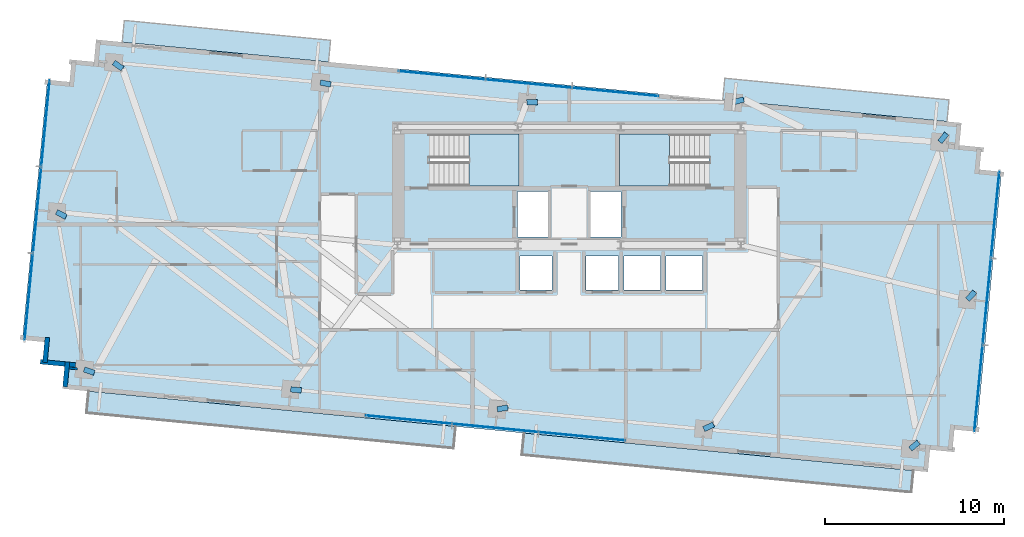
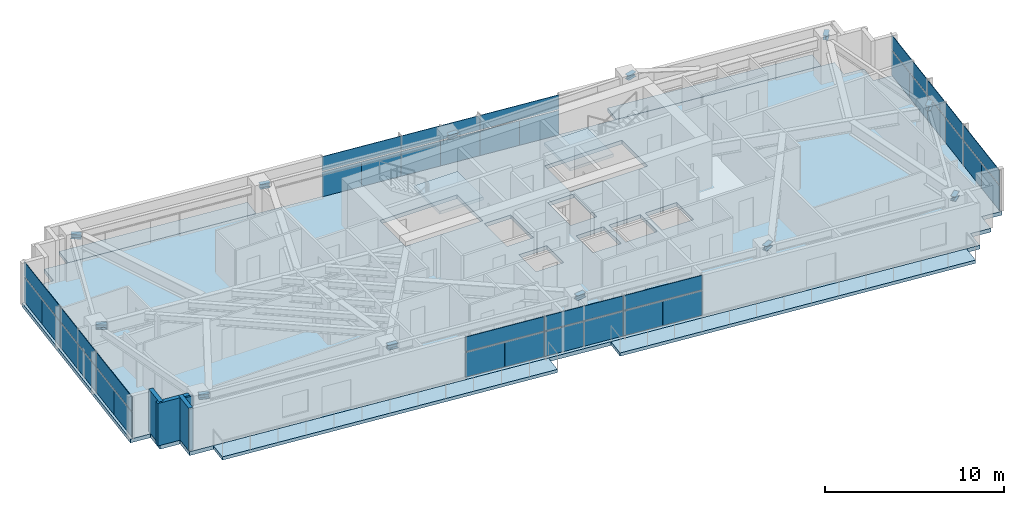
# One storey, part 14 of 20: 36 plates, 12 beams, 7 slabs, 4 walls, 6 elements without a shape of their own.
"""IFC4 building model written with IfcOpenShell, lengths in metres."""

import ifcopenshell
import ifcopenshell.guid

model = None  # the IFC model being written
_history = None  # IfcOwnerHistory: only IFC2X3 demands one
_inside = {}  # id of a spatial element -> (the spatial element, [elements in it])
_under = {}  # id of a project, library or spatial element -> (it, [spatial elements below it])
_declared = {}  # id of a project -> (the project, [libraries it declares])
_typed = {}  # id of a type object -> (the type object, [elements of that type])
_made_of = {}  # id of a material, layer set ... -> (it, [elements and type objects made of it])


def new_model(schema):
    """Start an empty IFC model of exactly this schema.

    Asked for "IFC4X3", IfcOpenShell would pick the latest addendum, in which some entities
    have other attributes; the version numbers below select the first issue.
    IFC2X3 requires an IfcOwnerHistory on every rooted entity: one is made here for all.
    """
    global model, _history
    if schema == "IFC4X3":
        model = ifcopenshell.file(schema_version=(4, 3, 0, 0))
    else:
        model = ifcopenshell.file(schema=schema)
    _inside.clear()
    _under.clear()
    _declared.clear()
    _typed.clear()
    _made_of.clear()
    _history = None
    if model.schema == "IFC2X3":
        org = make("IfcOrganization", Name="unknown")
        user = make(
            "IfcPersonAndOrganization",
            ThePerson=make("IfcPerson", FamilyName="unknown"),
            TheOrganization=org,
        )
        app = make(
            "IfcApplication",
            ApplicationDeveloper=org,
            Version="unknown",
            ApplicationFullName="unknown",
            ApplicationIdentifier="unknown",
        )
        _history = make(
            "IfcOwnerHistory",
            OwningUser=user,
            OwningApplication=app,
            ChangeAction="ADDED",
            CreationDate=0,
        )
    return model


def make(cls, **values):
    """One entity of the class cls with the attributes given. An attribute that is None is left unset."""
    return model.create_entity(
        cls, **{name: value for name, value in values.items() if value is not None}
    )


def rooted(cls, **values):
    """An entity with a GlobalId (a new one), such as an element, a storey or a relation."""
    return make(cls, GlobalId=ifcopenshell.guid.new(), OwnerHistory=_history, **values)


def si_unit(unit_type, name, prefix=None):
    """IfcSIUnit, for example si_unit("LENGTHUNIT", "METRE", prefix="MILLI")."""
    return make("IfcSIUnit", UnitType=unit_type, Prefix=prefix, Name=name)


def assignment(units):
    """IfcUnitAssignment: the units of a project."""
    return None if units is None else make("IfcUnitAssignment", Units=units)


def point(xyz):
    """IfcCartesianPoint."""
    return None if xyz is None else make("IfcCartesianPoint", Coordinates=xyz)


def direction(xyz):
    """IfcDirection."""
    return None if xyz is None else make("IfcDirection", DirectionRatios=xyz)


def frame(location, z_axis=None, x_axis=None):
    """IfcAxis2Placement3D, a coordinate frame: its origin and axes. An axis left out is left unset."""
    return make(
        "IfcAxis2Placement3D",
        Location=point(location),
        Axis=direction(z_axis),
        RefDirection=direction(x_axis),
    )


def frame_2d(location, x_axis=None):
    """IfcAxis2Placement2D, a coordinate frame in the plane: its origin and x axis."""
    return make(
        "IfcAxis2Placement2D", Location=point(location), RefDirection=direction(x_axis)
    )


def origin():
    """The frame at (0, 0, 0) with its axes left unset."""
    return frame((0.0, 0.0, 0.0))


def origin_2d():
    """The frame at (0, 0) in the plane with its x axis left unset."""
    return frame_2d((0.0, 0.0))


def place(relative_to, where):
    """IfcLocalPlacement: puts the frame where relative to a parent placement (None: the world)."""
    return make(
        "IfcLocalPlacement", PlacementRelTo=relative_to, RelativePlacement=where
    )


def context(
    kind, dimensions, precision=None, world=None, true_north=None, identifier=None
):
    """IfcGeometricRepresentationContext, for example the 3D "Model" context."""
    return make(
        "IfcGeometricRepresentationContext",
        ContextIdentifier=identifier,
        ContextType=kind,
        CoordinateSpaceDimension=dimensions,
        Precision=precision,
        WorldCoordinateSystem=world,
        TrueNorth=true_north,
    )


def subcontext(parent, identifier, kind, view, scale=None):
    """IfcGeometricRepresentationSubContext, for example "Body" below "Model"."""
    return make(
        "IfcGeometricRepresentationSubContext",
        ContextIdentifier=identifier,
        ContextType=kind,
        ParentContext=parent,
        TargetScale=scale,
        TargetView=view,
    )


def project(units=None, contexts=None):
    """IfcProject with its units and contexts."""
    return rooted(
        "IfcProject",
        Name="project",
        RepresentationContexts=contexts,
        UnitsInContext=assignment(units),
    )


def spatial(cls, under=None, at=None, **own):
    """A site, building, storey or space (cls), placed at a placement, below another one or the project."""
    s = rooted(cls, ObjectPlacement=at, **own)
    if under is not None:
        _under.setdefault(under.id(), (under, []))[1].append(s)
    return s


def polyline(points):
    """IfcPolyline through the points."""
    return make("IfcPolyline", Points=[point(p) for p in points])


def profile(cls, at=None, kind="AREA", **sizes):
    """A parametric profile (cls). Its sizes go by their IFC names, for example OverallWidth=200.0."""
    return make(cls, ProfileType=kind, Position=at, **sizes)


def rectangle(**sizes):
    """IfcRectangleProfileDef."""
    return profile("IfcRectangleProfileDef", **sizes)


def i_section(**sizes):
    """IfcIShapeProfileDef."""
    return profile("IfcIShapeProfileDef", **sizes)


def outline(outer, holes=None, kind="AREA"):
    """IfcArbitraryClosedProfileDef: a profile drawn as a closed curve; with holes, ...WithVoids."""
    if holes is None:
        return make("IfcArbitraryClosedProfileDef", ProfileType=kind, OuterCurve=outer)
    return make(
        "IfcArbitraryProfileDefWithVoids",
        ProfileType=kind,
        OuterCurve=outer,
        InnerCurves=holes,
    )


def extrude(swept, where, along, depth):
    """IfcExtrudedAreaSolid: the profile swept, set in the frame where, extruded along a direction by depth."""
    return make(
        "IfcExtrudedAreaSolid",
        SweptArea=swept,
        Position=where,
        ExtrudedDirection=direction(along),
        Depth=depth,
    )


def shape(context_of_items, identifier, shape_type, items):
    """IfcShapeRepresentation: the items that make up one representation, for example the "Body"."""
    return make(
        "IfcShapeRepresentation",
        ContextOfItems=context_of_items,
        RepresentationIdentifier=identifier,
        RepresentationType=shape_type,
        Items=items,
    )


def source(mapping_origin, context_of_items, identifier, shape_type, items):
    """IfcRepresentationMap: a shape defined once, which mapped items show again and again."""
    return make(
        "IfcRepresentationMap",
        MappingOrigin=mapping_origin,
        MappedRepresentation=shape(context_of_items, identifier, shape_type, items),
    )


def transform(
    local_origin,
    x_axis=None,
    y_axis=None,
    z_axis=None,
    scale=None,
    scale2=None,
    scale3=None,
    uniform=True,
):
    """IfcCartesianTransformationOperator3D, or its non-uniform kind. x_axis, y_axis, z_axis: its Axis1, 2, 3."""
    if uniform:
        return make(
            "IfcCartesianTransformationOperator3D",
            Axis1=direction(x_axis),
            Axis2=direction(y_axis),
            LocalOrigin=point(local_origin),
            Scale=scale,
            Axis3=direction(z_axis),
        )
    return make(
        "IfcCartesianTransformationOperator3DnonUniform",
        Axis1=direction(x_axis),
        Axis2=direction(y_axis),
        LocalOrigin=point(local_origin),
        Scale=scale,
        Axis3=direction(z_axis),
        Scale2=scale2,
        Scale3=scale3,
    )


def mapped(mapping_source, mapping_target):
    """IfcMappedItem: shows the shape of a source again, moved by a transform."""
    return make(
        "IfcMappedItem", MappingSource=mapping_source, MappingTarget=mapping_target
    )


def material(Name=None, Category=None):
    """IfcMaterial."""
    return make("IfcMaterial", Name=Name, Category=Category)


def layer(
    of_material, thickness, ventilated=None, Name=None, Category=None, Priority=None
):
    """IfcMaterialLayer: one layer of a wall or slab, of a material (None: an air gap)."""
    return make(
        "IfcMaterialLayer",
        Material=of_material,
        LayerThickness=thickness,
        IsVentilated=ventilated,
        Name=Name,
        Category=Category,
        Priority=Priority,
    )


def layer_set(layers, Name=None):
    """IfcMaterialLayerSet."""
    return make("IfcMaterialLayerSet", MaterialLayers=layers, LayerSetName=Name)


def material_profile(
    of_material, cross_section, Name=None, Category=None, Priority=None
):
    """IfcMaterialProfile: a cross section and its material."""
    return make(
        "IfcMaterialProfile",
        Name=Name,
        Material=of_material,
        Profile=cross_section,
        Priority=Priority,
        Category=Category,
    )


def profile_set(profiles, Name=None, composite=None):
    """IfcMaterialProfileSet."""
    return make(
        "IfcMaterialProfileSet",
        Name=Name,
        MaterialProfiles=profiles,
        CompositeProfile=composite,
    )


def made_of(thing, what):
    """Note that an element or type object is made of a material, layer set ...; save() writes the relation."""
    if what is not None:
        _made_of.setdefault(what.id(), (what, []))[1].append(thing)
    return thing


def type_object(cls, material=None, **own):
    """A type object (cls), such as IfcWallType, which elements share."""
    return made_of(rooted(cls, **own), material)


def type_shapes(of_type, sources):
    """Give a type object the sources (RepresentationMaps) that its elements show as mapped items."""
    of_type.RepresentationMaps = sources


def element(
    cls,
    number,
    at=None,
    inside=None,
    cuts=None,
    type_object=None,
    material=None,
    context=None,
    identifier="Body",
    shape_type=None,
    held_by="IfcProductDefinitionShape",
    body=None,
    shapes=None,
    **own,
):
    """One element of the class cls, such as IfcWall. Its Tag is "e" and its number.

    at: its placement. inside: the storey or other place that contains it. cuts: it is an
    opening in that element (IfcRelVoidsElement). A single representation is given by context,
    identifier, shape_type and body (its items); several are given by shapes. held_by: the class
    of the entity that holds the representations. save() writes the other relations.
    """
    e = rooted(cls, Tag="e%d" % number, ObjectPlacement=at, **own)
    if body is not None:
        shapes = [shape(context, identifier, shape_type, body)]
    if shapes is not None:
        e.Representation = make(held_by, Representations=shapes)
    if inside is not None:
        _inside.setdefault(inside.id(), (inside, []))[1].append(e)
    if cuts is not None:
        rooted(
            "IfcRelVoidsElement", RelatingBuildingElement=cuts, RelatedOpeningElement=e
        )
    if type_object is not None:
        _typed.setdefault(type_object.id(), (type_object, []))[1].append(e)
    return made_of(e, material)


def aggregate(whole, parts):
    """IfcRelAggregates: a whole, such as a stair, and the parts it consists of."""
    return rooted("IfcRelAggregates", RelatingObject=whole, RelatedObjects=parts)


def save(model, path):
    """Write the relations noted so far, then the file.

    IfcRelAggregates (storeys below a building ...), IfcRelContainedInSpatialStructure (elements
    in a storey), IfcRelDefinesByType, IfcRelAssociatesMaterial and IfcRelDeclares: one each for
    every whole, place, type object, material and project.
    """
    for whole, parts in _under.values():
        aggregate(whole, parts)
    for where, things in _inside.values():
        rooted(
            "IfcRelContainedInSpatialStructure",
            RelatedElements=things,
            RelatingStructure=where,
        )
    for kind, things in _typed.values():
        rooted("IfcRelDefinesByType", RelatedObjects=things, RelatingType=kind)
    for what, things in _made_of.values():
        rooted("IfcRelAssociatesMaterial", RelatedObjects=things, RelatingMaterial=what)
    for by, libraries in _declared.values():
        rooted("IfcRelDeclares", RelatingContext=by, RelatedDefinitions=libraries)
    model.write(path)


model = new_model("IFC4")

# Units and contexts
model_context = context("Model", 3, precision=1e-05, world=origin(), true_north=direction((0.0, 1.0)))
body_context = subcontext(model_context, "Body", "Model", "MODEL_VIEW")
ifc_project = project(units=[si_unit("LENGTHUNIT", "METRE"), si_unit("AREAUNIT", "SQUARE_METRE"), si_unit("VOLUMEUNIT", "CUBIC_METRE"), si_unit("PLANEANGLEUNIT", "RADIAN"), si_unit("MASSUNIT", "GRAM", prefix="KILO")], contexts=[model_context])

# Site, building, storey
site_placement = place(None, origin())
site = spatial("IfcSite", under=ifc_project, at=site_placement, CompositionType="ELEMENT")
building_placement = place(site_placement, origin())
building = spatial("IfcBuilding", under=site, at=building_placement, Name="Astriad Promenade Condominiums", CompositionType="ELEMENT")
storey_placement = place(building_placement, frame((0.0, 0.0, 159.800048828125)))
storey = spatial("IfcBuildingStorey", under=building, at=storey_placement, Name="L46", CompositionType="ELEMENT", Elevation=159.800048828125)

# Beams
ifc_material_1 = material(Name="Steel ASTM A992 Grade 50", Category="steel")
ifc_material_profile = material_profile(ifc_material_1, i_section(OverallWidth=0.3046875, OverallDepth=0.307861328125, WebThickness=0.010009765625, FlangeThickness=0.015380859375, FilletRadius=0.01513671875, at=origin_2d()), Name="W12X65")
ifc_profile_set = profile_set([ifc_material_profile], Name="Steel ASTM A992 Grade 50")
beam_type = type_object("IfcBeamType", Name="STEEL TRANSFER SPLICE HEADER W12X65", PredefinedType="LINTEL", material=ifc_profile_set)
shared_shape_1 = source(origin(), body_context, "Body", "SweptSolid", [
    extrude(i_section(OverallWidth=0.3046875, OverallDepth=0.307861328125, WebThickness=0.010009765625, FlangeThickness=0.015380859375, FilletRadius=0.01513671875, at=origin_2d()), origin(), (0.0, 0.0, 1.0), 0.6015625),
])
for number, where, z_axis, x_axis, name in (
    (1, (43.5205078125, 7.10791015625, 2.74609375), (0.904809502529, 0.425816585084, 0.0), (-0.425816585084, 0.904809502529, 0.0), "Column Transfer Splice Header SPL-PC04-L46"),
    (2, (55.06689453125, 5.99609375, 2.74609375), (0.766288229914, 0.642496963958, 0.0), (-0.642496963958, 0.766288229914, 0.0), "Column Transfer Splice Header SPL-PC05-L46"),
    (3, (10.532958984375, 27.60400390625, 2.74609375), (0.822309067205, -0.569041121531, 0.0), (0.569041121531, 0.822309067205, 0.0), "Column Transfer Splice Header SPL-PC06-L46"),
    (4, (22.07958984375, 26.4921875, 2.74609375), (0.979776461153, -0.200095192771, 0.0), (0.200095192771, 0.979776461153, 0.0), "Column Transfer Splice Header SPL-PC07-L46"),
    (5, (33.626220703125, 25.38037109375, 2.74609375), (0.999768558024, 0.021513493128, 0.0), (-0.021513493128, 0.999768558024, 0.0), "Column Transfer Splice Header SPL-PC08-L46"),
    (6, (45.1728515625, 25.3798828125, 2.74609375), (0.963668960496, 0.267099484417, 0.0), (-0.267099484417, 0.963668960496, 0.0), "Column Transfer Splice Header SPL-PC09-L46"),
    (7, (56.719482421875, 23.15673828125, 2.74609375), (0.62147204124, 0.783436341994, 0.0), (-0.783436341994, 0.62147204124, 0.0), "Column Transfer Splice Header SPL-PC10-L46"),
    (8, (58.26220703125, 14.348388671875, 2.74609375), (0.681913209103, 0.731433096907, 0.0), (-0.731433096907, 0.681913209103, 0.0), "Column Transfer Splice Header SPL-PC12-L46"),
):
    element("IfcBeam", number, at=place(storey_placement, frame(where, z_axis=z_axis, x_axis=x_axis)), inside=storey, type_object=beam_type, Name=name, PredefinedType="LINTEL", context=body_context, shape_type="MappedRepresentation", body=[
        mapped(shared_shape_1, transform((0.0, 0.0, 0.0), scale=1.0)),
    ])
shared_shape_2 = source(origin(), body_context, "Body", "SweptSolid", [
    extrude(i_section(OverallWidth=0.3046875, OverallDepth=0.307861328125, WebThickness=0.010009765625, FlangeThickness=0.015380859375, FilletRadius=0.01513671875, at=origin_2d()), origin(), (0.0, 0.0, 1.0), 0.601318359375),
])
type_shapes(beam_type, [shared_shape_1, shared_shape_2])
for number, where, z_axis, x_axis, name in (
    (9, (8.880615234375, 10.443359375, 2.74609375), (0.950813048275, -0.30976530992, 0.0), (0.30976530992, 0.950813048275, 0.0), "Column Transfer Splice Header SPL-PC01-L46"),
    (10, (20.42724609375, 9.33154296875, 2.74609375), (0.995041208938, -0.099463523537, 0.0), (0.099463523537, 0.995041208938, 0.0), "Column Transfer Splice Header SPL-PC02-L46"),
    (11, (31.973876953125, 8.2197265625, 2.74609375), (0.987119346377, 0.159985611877, 0.0), (-0.159985611877, 0.987119346377, 0.0), "Column Transfer Splice Header SPL-PC03-L46"),
    (12, (7.337890625, 19.251708984375, 2.74609375), (0.883451917352, -0.468521834846, 0.0), (0.468521834846, 0.883451917352, 0.0), "Column Transfer Splice Header SPL-PC11-L46"),
):
    element("IfcBeam", number, at=place(storey_placement, frame(where, z_axis=z_axis, x_axis=x_axis)), inside=storey, type_object=beam_type, Name=name, PredefinedType="LINTEL", context=body_context, shape_type="MappedRepresentation", body=[
        mapped(shared_shape_2, transform((0.0, 0.0, 0.0), scale=1.0)),
    ])

# Slab
ifc_material_2 = material(Name="Concrete C50/60", Category="concrete")
ifc_layer_1 = layer(ifc_material_2, 0.260009765625)
ifc_layer_set_1 = layer_set([ifc_layer_1], Name="Concrete C50/60")
slab_type_1 = type_object("IfcSlabType", Name="CONCRETE TOWER FLOOR SLAB 260", PredefinedType="FLOOR", material=ifc_layer_set_1)
slab_1_placement = place(storey_placement, frame((0.0, 0.0, -0.260009765625)))
element("IfcSlab", 13, at=slab_1_placement, inside=storey, type_object=slab_type_1, Name="Structural Floor Slab (L46)", PredefinedType="FLOOR", context=body_context, shape_type="SweptSolid", body=[
    extrude(outline(polyline([(7.672607421875, 9.374267578125), (56.048828125, 4.716064453125), (56.168701171875, 5.960205078125), (57.412841796875, 5.840576171875), (57.53271484375, 7.084716796875), (58.77685546875, 6.96484375), (60.17626953125, 21.497802734375), (58.931884765625, 21.617431640625), (59.052001953125, 22.86181640625), (57.8076171875, 22.981689453125), (57.927490234375, 24.225830078125), (9.55126953125, 28.8837890625), (9.431396484375, 27.6396484375), (8.18701171875, 27.759521484375), (8.0673828125, 26.515380859375), (6.822998046875, 26.635009765625), (5.423583984375, 12.102294921875), (6.66796875, 11.982421875), (6.548095703125, 10.73828125), (7.79248046875, 10.618408203125), (7.672607421875, 9.374267578125)]), holes=[polyline([(28.175048828125, 20.699951171875), (33.175048828125, 20.699951171875), (33.175048828125, 23.60009765625), (28.175048828125, 23.60009765625), (28.175048828125, 20.699951171875)]), polyline([(38.824951171875, 20.699951171875), (43.824951171875, 20.699951171875), (43.824951171875, 23.60009765625), (38.824951171875, 23.60009765625), (38.824951171875, 20.699951171875)]), polyline([(33.10009765625, 17.85009765625), (34.800048828125, 17.85009765625), (34.800048828125, 20.39990234375), (33.10009765625, 20.39990234375), (33.10009765625, 17.85009765625)]), polyline([(37.199951171875, 17.85009765625), (38.89990234375, 17.85009765625), (38.89990234375, 20.39990234375), (37.199951171875, 20.39990234375), (37.199951171875, 17.85009765625)]), polyline([(33.25, 14.89990234375), (35.050048828125, 14.89990234375), (35.050048828125, 16.800048828125), (33.25, 16.800048828125), (33.25, 14.89990234375)]), polyline([(36.949951171875, 14.89990234375), (38.75, 14.89990234375), (38.75, 16.800048828125), (36.949951171875, 16.800048828125), (36.949951171875, 14.89990234375)]), polyline([(39.050048828125, 14.89990234375), (41.10009765625, 14.89990234375), (41.10009765625, 16.800048828125), (39.050048828125, 16.800048828125), (39.050048828125, 14.89990234375)]), polyline([(41.39990234375, 14.89990234375), (43.449951171875, 14.89990234375), (43.449951171875, 16.800048828125), (41.39990234375, 16.800048828125), (41.39990234375, 14.89990234375)])]), origin(), (0.0, 0.0, 1.0), 0.260009765625),
])

# Stair, slab
stair_type = type_object("IfcStairType", Name="STR-CORE-1350", PredefinedType="HALF_TURN_STAIR", material=ifc_material_2)
stair_1_placement = place(storey_placement, origin())
stair_1 = element("IfcStair", 14, at=stair_1_placement, inside=storey, type_object=stair_type, Name="L46 Enclosed Core Exit Stair ST-1", PredefinedType="HALF_TURN_STAIR")
ifc_layer_2 = layer(ifc_material_2, 0.219970703125)
ifc_layer_set_2 = layer_set([ifc_layer_2], Name="Concrete C50/60")
slab_type_2 = type_object("IfcSlabType", Name="SLB-LANDING-220", PredefinedType="LANDING", material=ifc_layer_set_2)
slab_2_placement = place(storey_placement, frame((0.0, 0.0, 1.39990234375)))
slab_2 = element("IfcSlab", 15, at=slab_2_placement, type_object=slab_type_2, Name="ST-1 landing 1", PredefinedType="LANDING", context=body_context, shape_type="SweptSolid", body=[
    extrude(outline(polyline([(30.389892578125, 20.699951171875), (33.199951171875, 20.699951171875), (33.199951171875, 23.60009765625), (30.389892578125, 23.60009765625), (30.389892578125, 20.699951171875)])), origin(), (0.0, 0.0, 1.0), 0.199951171875),
])
aggregate(stair_1, [slab_2])

stair_2_placement = place(storey_placement, origin())
stair_2 = element("IfcStair", 16, at=stair_2_placement, inside=storey, type_object=stair_type, Name="L46 Enclosed Core Exit Stair ST-2", PredefinedType="HALF_TURN_STAIR")
slab_3_placement = place(storey_placement, frame((0.0, 0.0, 1.39990234375)))
slab_3 = element("IfcSlab", 17, at=slab_3_placement, type_object=slab_type_2, Name="ST-2 landing 1", PredefinedType="LANDING", context=body_context, shape_type="SweptSolid", body=[
    extrude(outline(polyline([(41.610107421875, 23.60009765625), (38.800048828125, 23.60009765625), (38.800048828125, 20.699951171875), (41.610107421875, 20.699951171875), (41.610107421875, 23.60009765625)])), origin(), (0.0, 0.0, 1.0), 0.199951171875),
])
aggregate(stair_2, [slab_3])

# Slabs
ifc_material_3 = material(Name="Precast concrete C50/60", Category="concrete")
ifc_layer_3 = layer(ifc_material_3, 0.219970703125)
ifc_layer_set_3 = layer_set([ifc_layer_3], Name="Precast concrete C50/60")
slab_type_3 = type_object("IfcSlabType", Name="WHITE PRECAST CONCRETE WAVE BALCONY SLAB 220", PredefinedType="FLOOR", material=ifc_layer_set_3)
slab_4_placement = place(storey_placement, frame((0.0, 0.0, -0.219970703125)))
element("IfcSlab", 18, at=slab_4_placement, inside=storey, type_object=slab_type_3, Name="White Precast Wave Balcony Slab BAL-L46-SW", PredefinedType="FLOOR", context=body_context, shape_type="SweptSolid", body=[
    extrude(outline(polyline([(29.527099609375, 6.044189453125), (9.012939453125, 8.01953125), (9.129638671875, 9.23193359375), (29.643798828125, 7.256591796875), (29.527099609375, 6.044189453125)])), origin(), (0.0, 0.0, 1.0), 0.219970703125),
])
slab_5_placement = place(storey_placement, frame((0.0, 0.0, -0.219970703125)))
element("IfcSlab", 19, at=slab_5_placement, inside=storey, type_object=slab_type_3, Name="White Precast Wave Balcony Slab BAL-L46-SE", PredefinedType="FLOOR", context=body_context, shape_type="SweptSolid", body=[
    extrude(outline(polyline([(33.354248046875, 5.67578125), (55.11962890625, 3.579833984375), (55.236572265625, 4.794189453125), (33.47119140625, 6.889892578125), (33.354248046875, 5.67578125)])), origin(), (0.0, 0.0, 1.0), 0.219970703125),
])
slab_6_placement = place(storey_placement, frame((0.0, 0.0, -0.219970703125)))
element("IfcSlab", 20, at=slab_6_placement, inside=storey, type_object=slab_type_3, Name="White Precast Wave Balcony Slab BAL-L46-NW", PredefinedType="FLOOR", context=body_context, shape_type="SweptSolid", body=[
    extrude(outline(polyline([(11.12548828125, 29.9580078125), (22.657958984375, 28.847412109375), (22.541259765625, 27.635009765625), (11.008544921875, 28.74560546875), (11.12548828125, 29.9580078125)])), origin(), (0.0, 0.0, 1.0), 0.219970703125),
])
slab_7_placement = place(storey_placement, frame((0.0, 0.0, -0.219970703125)))
element("IfcSlab", 21, at=slab_7_placement, inside=storey, type_object=slab_type_3, Name="White Precast Wave Balcony Slab BAL-L46-NE", PredefinedType="FLOOR", context=body_context, shape_type="SweptSolid", body=[
    extrude(outline(polyline([(44.696044921875, 26.7255859375), (57.232177734375, 25.518310546875), (57.115478515625, 24.305908203125), (44.579345703125, 25.51318359375), (44.696044921875, 26.7255859375)])), origin(), (0.0, 0.0, 1.0), 0.219970703125),
])

# Curtain wall, plates
ifc_material_4 = material(Name="Anodised aluminium Black Dark Glass Unitised", Category="aluminium")
curtain_wall_type = type_object("IfcCurtainWallType", Name="CW-B34-DARK", PredefinedType="USERDEFINED", material=ifc_material_4)
curtain_wall_1_placement = place(storey_placement, origin())
curtain_wall_1 = element("IfcCurtainWall", 22, at=curtain_wall_1_placement, inside=storey, type_object=curtain_wall_type, Name="CW-L46-W", ObjectType="UNITISED_CURTAIN_WALL", PredefinedType="USERDEFINED")
ifc_material_5 = material(Name="Dark Tinted Low-E Laminated Glass", Category="glass")
ifc_layer_4 = layer(ifc_material_5, 0.035888671875)
ifc_layer_set_4 = layer_set([ifc_layer_4], Name="Dark Tinted Low-E Laminated Glass")
plate_type = type_object("IfcPlateType", Name="PNL-DARK-GLASS-36", PredefinedType="CURTAIN_PANEL", material=ifc_layer_set_4)
shared_shape_3 = source(origin(), body_context, "Body", "SweptSolid", [
    extrude(rectangle(XDim=2.42138671875, YDim=0.035888671875, at=origin_2d()), origin(), (0.0, 0.0, 1.0), 1.677978515625),
])
plate_1_placement = place(storey_placement, frame((5.669677734375, 13.30078125, 0.080078125), z_axis=(0.0, 0.0, 1.0), x_axis=(0.09584575252, 0.995396198367, 0.0)))
plate_1 = element("IfcPlate", 23, at=plate_1_placement, type_object=plate_type, Name="CW-L46-W-PNL-00-VL", PredefinedType="CURTAIN_PANEL", context=body_context, shape_type="MappedRepresentation", body=[
    mapped(shared_shape_3, transform((0.0, 0.0, 0.0), scale=1.0)),
])
plate_2_placement = place(storey_placement, frame((5.903076171875, 15.722900390625, 0.080078125), z_axis=(0.0, 0.0, 1.0), x_axis=(0.09584575252, 0.995396198367, 0.0)))
plate_2 = element("IfcPlate", 24, at=plate_2_placement, type_object=plate_type, Name="CW-L46-W-PNL-00-VR", PredefinedType="CURTAIN_PANEL", context=body_context, shape_type="MappedRepresentation", body=[
    mapped(shared_shape_3, transform((0.0, 0.0, 0.0), scale=1.0)),
])
plate_3_placement = place(storey_placement, frame((6.13623046875, 18.145263671875, 0.080078125), z_axis=(0.0, 0.0, 1.0), x_axis=(0.09584575252, 0.995396198367, 0.0)))
plate_3 = element("IfcPlate", 25, at=plate_3_placement, type_object=plate_type, Name="CW-L46-W-PNL-01-VL", PredefinedType="CURTAIN_PANEL", context=body_context, shape_type="MappedRepresentation", body=[
    mapped(shared_shape_3, transform((0.0, 0.0, 0.0), scale=1.0)),
])
plate_4_placement = place(storey_placement, frame((6.369384765625, 20.5673828125, 0.080078125), z_axis=(0.0, 0.0, 1.0), x_axis=(0.09584575252, 0.995396198367, 0.0)))
plate_4 = element("IfcPlate", 26, at=plate_4_placement, type_object=plate_type, Name="CW-L46-W-PNL-01-VR", PredefinedType="CURTAIN_PANEL", context=body_context, shape_type="MappedRepresentation", body=[
    mapped(shared_shape_3, transform((0.0, 0.0, 0.0), scale=1.0)),
])
plate_5_placement = place(storey_placement, frame((6.6025390625, 22.989501953125, 0.080078125), z_axis=(0.0, 0.0, 1.0), x_axis=(0.09584575252, 0.995396198367, 0.0)))
plate_5 = element("IfcPlate", 27, at=plate_5_placement, type_object=plate_type, Name="CW-L46-W-PNL-02-VL", PredefinedType="CURTAIN_PANEL", context=body_context, shape_type="MappedRepresentation", body=[
    mapped(shared_shape_3, transform((0.0, 0.0, 0.0), scale=1.0)),
])
plate_6_placement = place(storey_placement, frame((6.8359375, 25.41162109375, 0.080078125), z_axis=(0.0, 0.0, 1.0), x_axis=(0.09584575252, 0.995396198367, 0.0)))
plate_6 = element("IfcPlate", 28, at=plate_6_placement, type_object=plate_type, Name="CW-L46-W-PNL-02-VR", PredefinedType="CURTAIN_PANEL", context=body_context, shape_type="MappedRepresentation", body=[
    mapped(shared_shape_3, transform((0.0, 0.0, 0.0), scale=1.0)),
])

curtain_wall_2_placement = place(storey_placement, origin())
curtain_wall_2 = element("IfcCurtainWall", 29, at=curtain_wall_2_placement, inside=storey, type_object=curtain_wall_type, Name="CW-L46-E", ObjectType="UNITISED_CURTAIN_WALL", PredefinedType="USERDEFINED")
plate_7_placement = place(storey_placement, frame((59.930419921875, 20.299072265625, 0.080078125), z_axis=(0.0, 0.0, 1.0), x_axis=(-0.09584575252, -0.995396198367, 0.0)))
plate_7 = element("IfcPlate", 30, at=plate_7_placement, type_object=plate_type, Name="CW-L46-E-PNL-00-VL", PredefinedType="CURTAIN_PANEL", context=body_context, shape_type="MappedRepresentation", body=[
    mapped(shared_shape_3, transform((0.0, 0.0, 0.0), scale=1.0)),
])
plate_8_placement = place(storey_placement, frame((59.697021484375, 17.876953125, 0.080078125), z_axis=(0.0, 0.0, 1.0), x_axis=(-0.09584575252, -0.995396198367, 0.0)))
plate_8 = element("IfcPlate", 31, at=plate_8_placement, type_object=plate_type, Name="CW-L46-E-PNL-00-VR", PredefinedType="CURTAIN_PANEL", context=body_context, shape_type="MappedRepresentation", body=[
    mapped(shared_shape_3, transform((0.0, 0.0, 0.0), scale=1.0)),
])
plate_9_placement = place(storey_placement, frame((59.4638671875, 15.454833984375, 0.080078125), z_axis=(0.0, 0.0, 1.0), x_axis=(-0.09584575252, -0.995396198367, 0.0)))
plate_9 = element("IfcPlate", 32, at=plate_9_placement, type_object=plate_type, Name="CW-L46-E-PNL-01-VL", PredefinedType="CURTAIN_PANEL", context=body_context, shape_type="MappedRepresentation", body=[
    mapped(shared_shape_3, transform((0.0, 0.0, 0.0), scale=1.0)),
])
plate_10_placement = place(storey_placement, frame((59.230712890625, 13.03271484375, 0.080078125), z_axis=(0.0, 0.0, 1.0), x_axis=(-0.09584575252, -0.995396198367, 0.0)))
plate_10 = element("IfcPlate", 33, at=plate_10_placement, type_object=plate_type, Name="CW-L46-E-PNL-01-VR", PredefinedType="CURTAIN_PANEL", context=body_context, shape_type="MappedRepresentation", body=[
    mapped(shared_shape_3, transform((0.0, 0.0, 0.0), scale=1.0)),
])
plate_11_placement = place(storey_placement, frame((58.997314453125, 10.610595703125, 0.080078125), z_axis=(0.0, 0.0, 1.0), x_axis=(-0.09584575252, -0.995396198367, 0.0)))
plate_11 = element("IfcPlate", 34, at=plate_11_placement, type_object=plate_type, Name="CW-L46-E-PNL-02-VL", PredefinedType="CURTAIN_PANEL", context=body_context, shape_type="MappedRepresentation", body=[
    mapped(shared_shape_3, transform((0.0, 0.0, 0.0), scale=1.0)),
])
plate_12_placement = place(storey_placement, frame((58.76416015625, 8.1884765625, 0.080078125), z_axis=(0.0, 0.0, 1.0), x_axis=(-0.09584575252, -0.995396198367, 0.0)))
plate_12 = element("IfcPlate", 35, at=plate_12_placement, type_object=plate_type, Name="CW-L46-E-PNL-02-VR", PredefinedType="CURTAIN_PANEL", context=body_context, shape_type="MappedRepresentation", body=[
    mapped(shared_shape_3, transform((0.0, 0.0, 0.0), scale=1.0)),
])

# Plate
shared_shape_4 = source(origin(), body_context, "Body", "SweptSolid", [
    extrude(rectangle(XDim=4.854736328125, YDim=0.035888671875, at=origin_2d()), origin(), (0.0, 0.0, 1.0), 0.98193359375),
])
plate_13_placement = place(storey_placement, frame((5.786376953125, 14.511962890625, 1.837890625), z_axis=(0.0, 0.0, 1.0), x_axis=(0.09584575252, 0.995396198367, 0.0)))
plate_13 = element("IfcPlate", 36, at=plate_13_placement, type_object=plate_type, Name="CW-L46-W-PNL-00-S", PredefinedType="CURTAIN_PANEL", context=body_context, shape_type="MappedRepresentation", body=[
    mapped(shared_shape_4, transform((0.0, 0.0, 0.0), scale=1.0)),
])

plate_14_placement = place(storey_placement, frame((6.252685546875, 19.356201171875, 1.837890625), z_axis=(0.0, 0.0, 1.0), x_axis=(0.09584575252, 0.995396198367, 0.0)))
plate_14 = element("IfcPlate", 37, at=plate_14_placement, type_object=plate_type, Name="CW-L46-W-PNL-01-S", PredefinedType="CURTAIN_PANEL", context=body_context, shape_type="MappedRepresentation", body=[
    mapped(shared_shape_4, transform((0.0, 0.0, 0.0), scale=1.0)),
])

plate_15_placement = place(storey_placement, frame((6.71923828125, 24.200439453125, 1.837890625), z_axis=(0.0, 0.0, 1.0), x_axis=(0.09584575252, 0.995396198367, 0.0)))
plate_15 = element("IfcPlate", 38, at=plate_15_placement, type_object=plate_type, Name="CW-L46-W-PNL-02-S", PredefinedType="CURTAIN_PANEL", context=body_context, shape_type="MappedRepresentation", body=[
    mapped(shared_shape_4, transform((0.0, 0.0, 0.0), scale=1.0)),
])

aggregate(curtain_wall_1, [plate_1, plate_2, plate_13, plate_3, plate_4, plate_14, plate_5, plate_6, plate_15])

plate_16_placement = place(storey_placement, frame((59.813720703125, 19.088134765625, 1.837890625), z_axis=(0.0, 0.0, 1.0), x_axis=(-0.09584575252, -0.995396198367, 0.0)))
plate_16 = element("IfcPlate", 39, at=plate_16_placement, type_object=plate_type, Name="CW-L46-E-PNL-00-S", PredefinedType="CURTAIN_PANEL", context=body_context, shape_type="MappedRepresentation", body=[
    mapped(shared_shape_4, transform((0.0, 0.0, 0.0), scale=1.0)),
])

plate_17_placement = place(storey_placement, frame((59.34716796875, 14.243896484375, 1.837890625), z_axis=(0.0, 0.0, 1.0), x_axis=(-0.09584575252, -0.995396198367, 0.0)))
plate_17 = element("IfcPlate", 40, at=plate_17_placement, type_object=plate_type, Name="CW-L46-E-PNL-01-S", PredefinedType="CURTAIN_PANEL", context=body_context, shape_type="MappedRepresentation", body=[
    mapped(shared_shape_4, transform((0.0, 0.0, 0.0), scale=1.0)),
])

plate_18_placement = place(storey_placement, frame((58.880615234375, 9.3994140625, 1.837890625), z_axis=(0.0, 0.0, 1.0), x_axis=(-0.09584575252, -0.995396198367, 0.0)))
plate_18 = element("IfcPlate", 41, at=plate_18_placement, type_object=plate_type, Name="CW-L46-E-PNL-02-S", PredefinedType="CURTAIN_PANEL", context=body_context, shape_type="MappedRepresentation", body=[
    mapped(shared_shape_4, transform((0.0, 0.0, 0.0), scale=1.0)),
])

aggregate(curtain_wall_2, [plate_7, plate_8, plate_16, plate_9, plate_10, plate_17, plate_11, plate_12, plate_18])

# Curtain wall, plates
curtain_wall_3_placement = place(storey_placement, origin())
curtain_wall_3 = element("IfcCurtainWall", 42, at=curtain_wall_3_placement, inside=storey, type_object=curtain_wall_type, Name="CW-L46-N", ObjectType="UNITISED_CURTAIN_WALL", PredefinedType="USERDEFINED")
shared_shape_5 = source(origin(), body_context, "Body", "SweptSolid", [
    extrude(rectangle(XDim=2.41796875, YDim=0.035888671875, at=origin_2d()), origin(), (0.0, 0.0, 1.0), 1.677978515625),
])
plate_19_placement = place(storey_placement, frame((27.6796875, 27.0078125, 0.080078125), z_axis=(0.0, 0.0, 1.0), x_axis=(0.995396198367, -0.09584575252, 0.0)))
plate_19 = element("IfcPlate", 43, at=plate_19_placement, type_object=plate_type, Name="CW-L46-N-PNL-00-VL", PredefinedType="CURTAIN_PANEL", context=body_context, shape_type="MappedRepresentation", body=[
    mapped(shared_shape_5, transform((0.0, 0.0, 0.0), scale=1.0)),
])
plate_20_placement = place(storey_placement, frame((30.0986328125, 26.77490234375, 0.080078125), z_axis=(0.0, 0.0, 1.0), x_axis=(0.995396198367, -0.09584575252, 0.0)))
plate_20 = element("IfcPlate", 44, at=plate_20_placement, type_object=plate_type, Name="CW-L46-N-PNL-00-VR", PredefinedType="CURTAIN_PANEL", context=body_context, shape_type="MappedRepresentation", body=[
    mapped(shared_shape_5, transform((0.0, 0.0, 0.0), scale=1.0)),
])
plate_21_placement = place(storey_placement, frame((32.517333984375, 26.5419921875, 0.080078125), z_axis=(0.0, 0.0, 1.0), x_axis=(0.995396198367, -0.09584575252, 0.0)))
plate_21 = element("IfcPlate", 45, at=plate_21_placement, type_object=plate_type, Name="CW-L46-N-PNL-01-VL", PredefinedType="CURTAIN_PANEL", context=body_context, shape_type="MappedRepresentation", body=[
    mapped(shared_shape_5, transform((0.0, 0.0, 0.0), scale=1.0)),
])
plate_22_placement = place(storey_placement, frame((34.936279296875, 26.30908203125, 0.080078125), z_axis=(0.0, 0.0, 1.0), x_axis=(0.995396198367, -0.09584575252, 0.0)))
plate_22 = element("IfcPlate", 46, at=plate_22_placement, type_object=plate_type, Name="CW-L46-N-PNL-01-VR", PredefinedType="CURTAIN_PANEL", context=body_context, shape_type="MappedRepresentation", body=[
    mapped(shared_shape_5, transform((0.0, 0.0, 0.0), scale=1.0)),
])
plate_23_placement = place(storey_placement, frame((37.35498046875, 26.075927734375, 0.080078125), z_axis=(0.0, 0.0, 1.0), x_axis=(0.995396198367, -0.09584575252, 0.0)))
plate_23 = element("IfcPlate", 47, at=plate_23_placement, type_object=plate_type, Name="CW-L46-N-PNL-02-VL", PredefinedType="CURTAIN_PANEL", context=body_context, shape_type="MappedRepresentation", body=[
    mapped(shared_shape_5, transform((0.0, 0.0, 0.0), scale=1.0)),
])
plate_24_placement = place(storey_placement, frame((39.77392578125, 25.84326171875, 0.080078125), z_axis=(0.0, 0.0, 1.0), x_axis=(0.995396198367, -0.09584575252, 0.0)))
plate_24 = element("IfcPlate", 48, at=plate_24_placement, type_object=plate_type, Name="CW-L46-N-PNL-02-VR", PredefinedType="CURTAIN_PANEL", context=body_context, shape_type="MappedRepresentation", body=[
    mapped(shared_shape_5, transform((0.0, 0.0, 0.0), scale=1.0)),
])

curtain_wall_4_placement = place(storey_placement, origin())
curtain_wall_4 = element("IfcCurtainWall", 49, at=curtain_wall_4_placement, inside=storey, type_object=curtain_wall_type, Name="CW-L46-S", ObjectType="UNITISED_CURTAIN_WALL", PredefinedType="USERDEFINED")
plate_25_placement = place(storey_placement, frame((37.920166015625, 6.59228515625, 0.080078125), z_axis=(0.0, 0.0, 1.0), x_axis=(-0.995396198367, 0.09584575252, 0.0)))
plate_25 = element("IfcPlate", 50, at=plate_25_placement, type_object=plate_type, Name="CW-L46-S-PNL-00-VL", PredefinedType="CURTAIN_PANEL", context=body_context, shape_type="MappedRepresentation", body=[
    mapped(shared_shape_5, transform((0.0, 0.0, 0.0), scale=1.0)),
])
plate_26_placement = place(storey_placement, frame((35.50146484375, 6.8251953125, 0.080078125), z_axis=(0.0, 0.0, 1.0), x_axis=(-0.995396198367, 0.09584575252, 0.0)))
plate_26 = element("IfcPlate", 51, at=plate_26_placement, type_object=plate_type, Name="CW-L46-S-PNL-00-VR", PredefinedType="CURTAIN_PANEL", context=body_context, shape_type="MappedRepresentation", body=[
    mapped(shared_shape_5, transform((0.0, 0.0, 0.0), scale=1.0)),
])
plate_27_placement = place(storey_placement, frame((33.08251953125, 7.05810546875, 0.080078125), z_axis=(0.0, 0.0, 1.0), x_axis=(-0.995396198367, 0.09584575252, 0.0)))
plate_27 = element("IfcPlate", 52, at=plate_27_placement, type_object=plate_type, Name="CW-L46-S-PNL-01-VL", PredefinedType="CURTAIN_PANEL", context=body_context, shape_type="MappedRepresentation", body=[
    mapped(shared_shape_5, transform((0.0, 0.0, 0.0), scale=1.0)),
])
plate_28_placement = place(storey_placement, frame((30.663818359375, 7.291015625, 0.080078125), z_axis=(0.0, 0.0, 1.0), x_axis=(-0.995396198367, 0.09584575252, 0.0)))
plate_28 = element("IfcPlate", 53, at=plate_28_placement, type_object=plate_type, Name="CW-L46-S-PNL-01-VR", PredefinedType="CURTAIN_PANEL", context=body_context, shape_type="MappedRepresentation", body=[
    mapped(shared_shape_5, transform((0.0, 0.0, 0.0), scale=1.0)),
])
plate_29_placement = place(storey_placement, frame((28.244873046875, 7.52392578125, 0.080078125), z_axis=(0.0, 0.0, 1.0), x_axis=(-0.995396198367, 0.09584575252, 0.0)))
plate_29 = element("IfcPlate", 54, at=plate_29_placement, type_object=plate_type, Name="CW-L46-S-PNL-02-VL", PredefinedType="CURTAIN_PANEL", context=body_context, shape_type="MappedRepresentation", body=[
    mapped(shared_shape_5, transform((0.0, 0.0, 0.0), scale=1.0)),
])
plate_30_placement = place(storey_placement, frame((25.826171875, 7.7568359375, 0.080078125), z_axis=(0.0, 0.0, 1.0), x_axis=(-0.995396198367, 0.09584575252, 0.0)))
plate_30 = element("IfcPlate", 55, at=plate_30_placement, type_object=plate_type, Name="CW-L46-S-PNL-02-VR", PredefinedType="CURTAIN_PANEL", context=body_context, shape_type="MappedRepresentation", body=[
    mapped(shared_shape_5, transform((0.0, 0.0, 0.0), scale=1.0)),
])

# Plate
shared_shape_6 = source(origin(), body_context, "Body", "SweptSolid", [
    extrude(rectangle(XDim=4.847900390625, YDim=0.035888671875, at=origin_2d()), origin(), (0.0, 0.0, 1.0), 0.98193359375),
])
type_shapes(plate_type, [shared_shape_3, shared_shape_4, shared_shape_5, shared_shape_6])
plate_31_placement = place(storey_placement, frame((28.88916015625, 26.891357421875, 1.837890625), z_axis=(0.0, 0.0, 1.0), x_axis=(0.995396198367, -0.09584575252, 0.0)))
plate_31 = element("IfcPlate", 56, at=plate_31_placement, type_object=plate_type, Name="CW-L46-N-PNL-00-S", PredefinedType="CURTAIN_PANEL", context=body_context, shape_type="MappedRepresentation", body=[
    mapped(shared_shape_6, transform((0.0, 0.0, 0.0), scale=1.0)),
])

plate_32_placement = place(storey_placement, frame((33.726806640625, 26.42529296875, 1.837890625), z_axis=(0.0, 0.0, 1.0), x_axis=(0.995396198367, -0.09584575252, 0.0)))
plate_32 = element("IfcPlate", 57, at=plate_32_placement, type_object=plate_type, Name="CW-L46-N-PNL-01-S", PredefinedType="CURTAIN_PANEL", context=body_context, shape_type="MappedRepresentation", body=[
    mapped(shared_shape_6, transform((0.0, 0.0, 0.0), scale=1.0)),
])

plate_33_placement = place(storey_placement, frame((38.564453125, 25.959716796875, 1.837890625), z_axis=(0.0, 0.0, 1.0), x_axis=(0.995396198367, -0.09584575252, 0.0)))
plate_33 = element("IfcPlate", 58, at=plate_33_placement, type_object=plate_type, Name="CW-L46-N-PNL-02-S", PredefinedType="CURTAIN_PANEL", context=body_context, shape_type="MappedRepresentation", body=[
    mapped(shared_shape_6, transform((0.0, 0.0, 0.0), scale=1.0)),
])

aggregate(curtain_wall_3, [plate_19, plate_20, plate_31, plate_21, plate_22, plate_32, plate_23, plate_24, plate_33])

plate_34_placement = place(storey_placement, frame((36.710693359375, 6.708740234375, 1.837890625), z_axis=(0.0, 0.0, 1.0), x_axis=(-0.995396198367, 0.09584575252, 0.0)))
plate_34 = element("IfcPlate", 59, at=plate_34_placement, type_object=plate_type, Name="CW-L46-S-PNL-00-S", PredefinedType="CURTAIN_PANEL", context=body_context, shape_type="MappedRepresentation", body=[
    mapped(shared_shape_6, transform((0.0, 0.0, 0.0), scale=1.0)),
])

plate_35_placement = place(storey_placement, frame((31.873291015625, 7.174560546875, 1.837890625), z_axis=(0.0, 0.0, 1.0), x_axis=(-0.995396198367, 0.09584575252, 0.0)))
plate_35 = element("IfcPlate", 60, at=plate_35_placement, type_object=plate_type, Name="CW-L46-S-PNL-01-S", PredefinedType="CURTAIN_PANEL", context=body_context, shape_type="MappedRepresentation", body=[
    mapped(shared_shape_6, transform((0.0, 0.0, 0.0), scale=1.0)),
])

plate_36_placement = place(storey_placement, frame((27.035400390625, 7.640380859375, 1.837890625), z_axis=(0.0, 0.0, 1.0), x_axis=(-0.995396198367, 0.09584575252, 0.0)))
plate_36 = element("IfcPlate", 61, at=plate_36_placement, type_object=plate_type, Name="CW-L46-S-PNL-02-S", PredefinedType="CURTAIN_PANEL", context=body_context, shape_type="MappedRepresentation", body=[
    mapped(shared_shape_6, transform((0.0, 0.0, 0.0), scale=1.0)),
])

aggregate(curtain_wall_4, [plate_25, plate_26, plate_34, plate_27, plate_28, plate_35, plate_29, plate_30, plate_36])

# Walls
ifc_layer_5 = layer(ifc_material_3, 0.260009765625)
ifc_layer_set_5 = layer_set([ifc_layer_5], Name="Precast concrete C50/60")
wall_type_1 = type_object("IfcWallType", Name="WALL-EXT-TWR-260", PredefinedType="STANDARD", material=ifc_layer_set_5)
wall_1_placement = place(storey_placement, frame((8.400146484375, 10.6904296875, 0.0), z_axis=(0.0, 0.0, 1.0), x_axis=(-0.995391147587, 0.095898192396, 0.0)))
element("IfcWall", 62, at=wall_1_placement, inside=storey, type_object=wall_type_1, Name="W-SER-L46-00", PredefinedType="STANDARD", context=body_context, shape_type="SweptSolid", body=[
    extrude(rectangle(XDim=1.97802734375, YDim=0.260009765625, at=frame_2d((0.989013671875, 0.0))), origin(), (0.0, 0.0, 1.0), 2.89990234375),
])
wall_2_placement = place(storey_placement, frame((6.6884765625, 10.840087890625, 0.0), z_axis=(0.0, 0.0, 1.0), x_axis=(0.09589913835, 0.995391056452, 0.0)))
element("IfcWall", 63, at=wall_2_placement, inside=storey, type_object=wall_type_1, Name="W-SER-L46-01", PredefinedType="STANDARD", context=body_context, shape_type="SweptSolid", body=[
    extrude(rectangle(XDim=1.39501953125, YDim=0.260009765625, at=frame_2d((0.697509765625, 0.0))), origin(), (0.0, 0.0, 1.0), 2.89990234375),
])
wall_3_placement = place(storey_placement, frame((7.81298828125, 9.476318359375, 0.0), z_axis=(0.0, 0.0, 1.0), x_axis=(0.095915846097, 0.995389446633, 0.0)))
element("IfcWall", 64, at=wall_3_placement, inside=storey, type_object=wall_type_1, Name="W-SER-L46-19", PredefinedType="STANDARD", context=body_context, shape_type="SweptSolid", body=[
    extrude(rectangle(XDim=1.394775390625, YDim=0.260009765625, at=frame_2d((0.697265625, 0.0))), origin(), (0.0, 0.0, 1.0), 2.89990234375),
])
ifc_material_6 = material(Name="Acoustic Metal-Stud Gypsum Partition")
ifc_layer_6 = layer(ifc_material_6, 0.1201171875)
ifc_layer_set_6 = layer_set([ifc_layer_6], Name="Acoustic Metal-Stud Gypsum Partition")
wall_type_2 = type_object("IfcWallType", Name="WALL-PART-120", PredefinedType="PARTITIONING", material=ifc_layer_set_6)
wall_4_placement = place(storey_placement, frame((8.502197265625, 10.479736328125, 0.0), z_axis=(0.0, 0.0, 1.0), x_axis=(-0.995384576284, 0.09596637586, 0.0)))
element("IfcWall", 65, at=wall_4_placement, inside=storey, type_object=wall_type_2, Name="PT-PIL-L46-PC01-8", PredefinedType="PARTITIONING", context=body_context, shape_type="SweptSolid", body=[
    extrude(rectangle(XDim=0.4580078125, YDim=0.1201171875, at=frame_2d((0.22900390625, 0.0))), origin(), (0.0, 0.0, 1.0), 2.89990234375),
])

save(model, "model.ifc")
